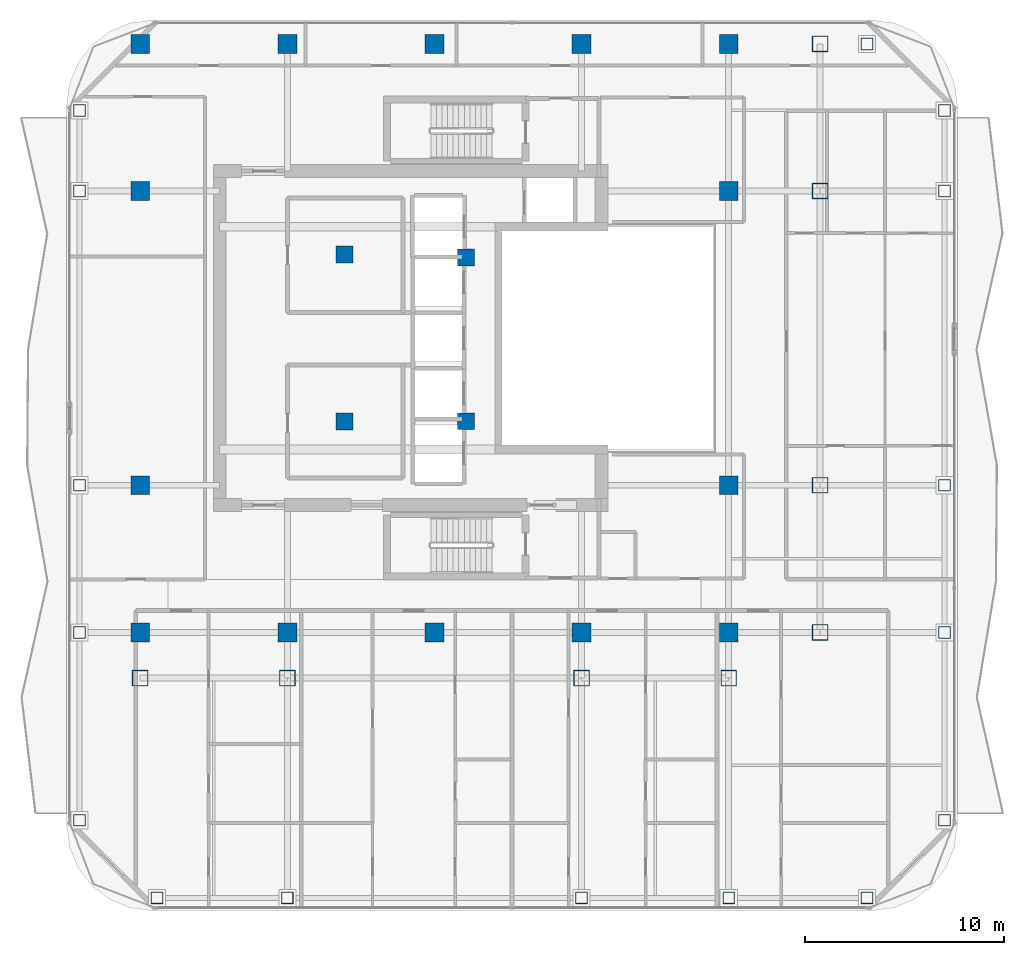
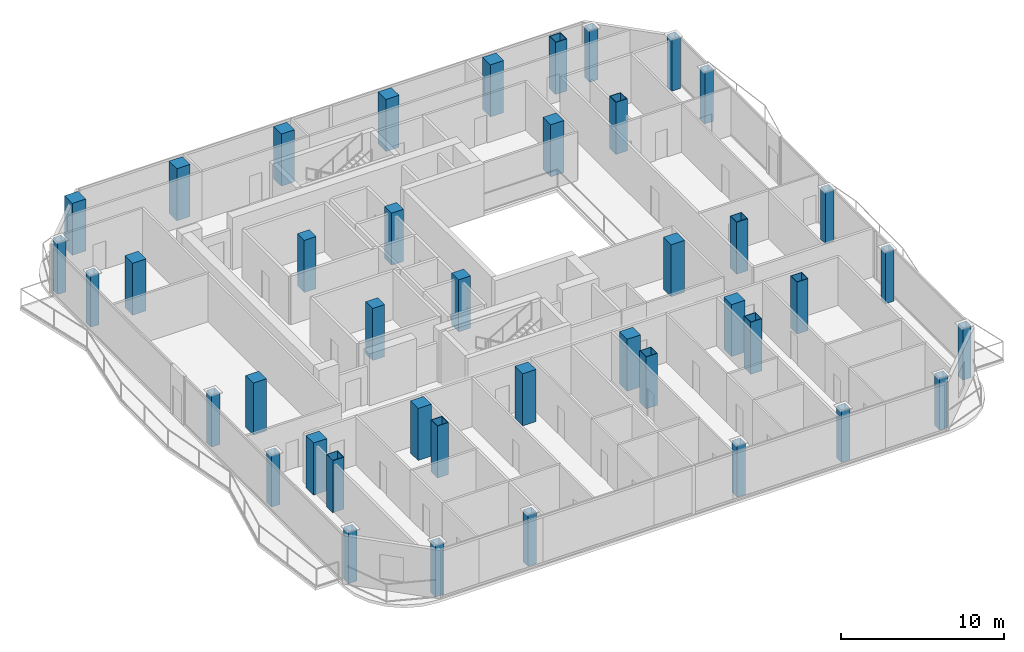
# One storey, part 1 of 26: 42 columns.
"""IFC4 building model written with IfcOpenShell, lengths in metres."""

from ifc_helpers import new_model, si_unit, direction, frame, origin, origin_2d, place, context, subcontext, project, spatial, rectangle, hollow_rectangle, extrude, material, material_profile, profile_set, type_object, element, save


model = new_model("IFC4")

# Units and contexts
model_context = context("Model", 3, precision=1e-05, world=origin(), true_north=direction((0.0, 1.0)))
body_context = subcontext(model_context, "Body", "Model", "MODEL_VIEW")
ifc_project = project(units=[si_unit("LENGTHUNIT", "METRE"), si_unit("AREAUNIT", "SQUARE_METRE"), si_unit("VOLUMEUNIT", "CUBIC_METRE"), si_unit("PLANEANGLEUNIT", "RADIAN"), si_unit("MASSUNIT", "GRAM", prefix="KILO")], contexts=[model_context])

# Site, building, storey
site_placement = place(None, origin())
site = spatial("IfcSite", under=ifc_project, at=site_placement, CompositionType="ELEMENT")
building_placement = place(site_placement, origin())
building = spatial("IfcBuilding", under=site, at=building_placement, Name="Khorvyn Point Tower", CompositionType="ELEMENT")
storey_placement = place(building_placement, frame((0.0, 0.0, 250.800048828125)))
storey = spatial("IfcBuildingStorey", under=building, at=storey_placement, Name="L61", CompositionType="ELEMENT", Elevation=250.800048828125)

# Columns
ifc_material_1 = material(Name="Concrete C40/50", Category="concrete")
ifc_material_profile_1 = material_profile(ifc_material_1, rectangle(XDim=0.85009765625, YDim=0.85009765625, at=origin_2d()))
ifc_profile_set_1 = profile_set([ifc_material_profile_1], Name="Concrete C40/50 RC850x850")
column_type_1 = type_object("IfcColumnType", Name="Concrete C40/50 Column RC850x850", PredefinedType="COLUMN", material=ifc_profile_set_1)
for number, where, z_axis, x_axis, name in (
    (1, (-4.52001953125, -4.199951171875, 0.0), (0.0, 0.0, 1.0), (1.0, 0.0, 0.0), "L61 Crown Core Spine Column 1"),
    (2, (1.580078125, -4.179931640625, 0.0), (0.0, 0.0, 1.0), (1.0, 0.0, 0.0), "L61 Crown Core Spine Column 2"),
    (3, (1.580078125, 4.050048828125, 0.0), (0.0, 0.0, 1.0), (1.0, 0.0, 0.0), "L61 Crown Core Spine Column 3"),
    (4, (-4.52001953125, 4.199951171875, 0.0), (0.0, 0.0, 1.0), (1.0, 0.0, 0.0), "L61 Crown Core Spine Column 4"),
):
    element("IfcColumn", number, at=place(storey_placement, frame(where, z_axis=z_axis, x_axis=x_axis)), inside=storey, type_object=column_type_1, Name=name, PredefinedType="COLUMN", context=body_context, shape_type="SweptSolid", body=[
        extrude(rectangle(XDim=0.85009765625, YDim=0.85009765625, at=origin_2d()), origin(), (0.0, 0.0, 1.0), 3.89990234375),
    ])
ifc_material_profile_2 = material_profile(ifc_material_1, rectangle(XDim=0.949951171875, YDim=0.949951171875, at=origin_2d()))
ifc_profile_set_2 = profile_set([ifc_material_profile_2], Name="Concrete C40/50 RC950x950")
column_type_2 = type_object("IfcColumnType", Name="Concrete C40/50 Column RC950x950", PredefinedType="COLUMN", material=ifc_profile_set_2)
for number, where, z_axis, x_axis, name in (
    (5, (-14.800048828125, -14.800048828125, 0.0), (0.0, 0.0, 1.0), (1.0, 0.0, 0.0), "L61 Mega-Column MC-01"),
    (6, (-7.39990234375, -14.800048828125, 0.0), (0.0, 0.0, 1.0), (1.0, 0.0, 0.0), "L61 Mega-Column MC-02"),
    (7, (0.0, -14.800048828125, 0.0), (0.0, 0.0, 1.0), (1.0, 0.0, 0.0), "L61 Mega-Column MC-03"),
    (8, (7.39990234375, -14.800048828125, 0.0), (0.0, 0.0, 1.0), (1.0, 0.0, 0.0), "L61 Mega-Column MC-04"),
    (9, (14.800048828125, -14.800048828125, 0.0), (0.0, 0.0, 1.0), (1.0, 0.0, 0.0), "L61 Mega-Column MC-05"),
    (10, (-14.800048828125, 14.800048828125, 0.0), (0.0, 0.0, 1.0), (1.0, 0.0, 0.0), "L61 Mega-Column MC-06"),
    (11, (-7.39990234375, 14.800048828125, 0.0), (0.0, 0.0, 1.0), (1.0, 0.0, 0.0), "L61 Mega-Column MC-07"),
    (12, (0.0, 14.800048828125, 0.0), (0.0, 0.0, 1.0), (1.0, 0.0, 0.0), "L61 Mega-Column MC-08"),
    (13, (7.39990234375, 14.800048828125, 0.0), (0.0, 0.0, 1.0), (1.0, 0.0, 0.0), "L61 Mega-Column MC-09"),
    (14, (14.800048828125, 14.800048828125, 0.0), (0.0, 0.0, 1.0), (1.0, 0.0, 0.0), "L61 Mega-Column MC-10"),
    (15, (-14.800048828125, -7.39990234375, 0.0), (0.0, 0.0, 1.0), (1.0, 0.0, 0.0), "L61 Mega-Column MC-11"),
    (16, (-14.800048828125, 7.39990234375, 0.0), (0.0, 0.0, 1.0), (1.0, 0.0, 0.0), "L61 Mega-Column MC-12"),
    (17, (14.800048828125, -7.39990234375, 0.0), (0.0, 0.0, 1.0), (1.0, 0.0, 0.0), "L61 Mega-Column MC-13"),
    (18, (14.800048828125, 7.39990234375, 0.0), (0.0, 0.0, 1.0), (1.0, 0.0, 0.0), "L61 Mega-Column MC-14"),
):
    element("IfcColumn", number, at=place(storey_placement, frame(where, z_axis=z_axis, x_axis=x_axis)), inside=storey, type_object=column_type_2, Name=name, PredefinedType="COLUMN", context=body_context, shape_type="SweptSolid", body=[
        extrude(rectangle(XDim=0.949951171875, YDim=0.949951171875, at=origin_2d()), origin(), (0.0, 0.0, 1.0), 3.89990234375),
    ])
ifc_material_2 = material(Name="Steel S450", Category="steel")
ifc_material_profile_3 = material_profile(ifc_material_2, hollow_rectangle(XDim=0.60009765625, YDim=0.60009765625, WallThickness=0.028076171875, at=origin_2d()))
ifc_profile_set_3 = profile_set([ifc_material_profile_3], Name="Steel S450 BOX600x600x28")
column_type_3 = type_object("IfcColumnType", Name="Steel S450 Structural Column BOX600x600x28", PredefinedType="COLUMN", material=ifc_profile_set_3)
for number, where, z_axis, x_axis, name in (
    (19, (-13.949951171875, -28.14990234375, 0.0), (0.0, 0.0, 1.0), (1.0, 0.0, 0.0), "L61 Perimeter Tube Column TC-01"),
    (20, (21.75, -28.14990234375, 0.0), (0.0, 0.0, 1.0), (1.0, 0.0, 0.0), "L61 Perimeter Tube Column TC-02"),
    (21, (21.75, 14.800048828125, 0.0), (0.0, 0.0, 1.0), (1.0, 0.0, 0.0), "L61 Perimeter Tube Column TC-03"),
    (22, (-17.85009765625, -24.25, 0.0), (0.0, 0.0, 1.0), (1.0, 0.0, 0.0), "L61 Perimeter Tube Column TC-04"),
    (23, (-17.85009765625, 11.449951171875, 0.0), (0.0, 0.0, 1.0), (1.0, 0.0, 0.0), "L61 Perimeter Tube Column TC-05"),
    (24, (25.64990234375, -24.25, 0.0), (0.0, 0.0, 1.0), (1.0, 0.0, 0.0), "L61 Perimeter Tube Column TC-06"),
    (25, (25.64990234375, 11.449951171875, 0.0), (0.0, 0.0, 1.0), (1.0, 0.0, 0.0), "L61 Perimeter Tube Column TC-07"),
    (26, (-7.39990234375, -28.14990234375, 0.0), (0.0, 0.0, 1.0), (1.0, 0.0, 0.0), "L61 Perimeter Tube Column TC-08"),
    (27, (7.39990234375, -28.14990234375, 0.0), (0.0, 0.0, 1.0), (1.0, 0.0, 0.0), "L61 Perimeter Tube Column TC-09"),
    (28, (14.800048828125, -28.14990234375, 0.0), (0.0, 0.0, 1.0), (1.0, 0.0, 0.0), "L61 Perimeter Tube Column TC-10"),
    (29, (-17.85009765625, -14.800048828125, 0.0), (0.0, 0.0, 1.0), (1.0, 0.0, 0.0), "L61 Perimeter Tube Column TC-11"),
    (30, (25.64990234375, -14.800048828125, 0.0), (0.0, 0.0, 1.0), (1.0, 0.0, 0.0), "L61 Perimeter Tube Column TC-12"),
    (31, (-17.85009765625, -7.39990234375, 0.0), (0.0, 0.0, 1.0), (1.0, 0.0, 0.0), "L61 Perimeter Tube Column TC-13"),
    (32, (25.64990234375, -7.39990234375, 0.0), (0.0, 0.0, 1.0), (1.0, 0.0, 0.0), "L61 Perimeter Tube Column TC-14"),
    (33, (-17.85009765625, 7.39990234375, 0.0), (0.0, 0.0, 1.0), (1.0, 0.0, 0.0), "L61 Perimeter Tube Column TC-15"),
    (34, (25.64990234375, 7.39990234375, 0.0), (0.0, 0.0, 1.0), (1.0, 0.0, 0.0), "L61 Perimeter Tube Column TC-16"),
):
    element("IfcColumn", number, at=place(storey_placement, frame(where, z_axis=z_axis, x_axis=x_axis)), inside=storey, type_object=column_type_3, Name=name, PredefinedType="COLUMN", context=body_context, shape_type="SweptSolid", body=[
        extrude(hollow_rectangle(XDim=0.60009765625, YDim=0.60009765625, WallThickness=0.028076171875, at=origin_2d()), origin(), (0.0, 0.0, 1.0), 3.89990234375),
    ])
ifc_material_profile_4 = material_profile(ifc_material_2, hollow_rectangle(XDim=0.800048828125, YDim=0.800048828125, WallThickness=0.035888671875, at=origin_2d()))
ifc_profile_set_4 = profile_set([ifc_material_profile_4], Name="Steel S450 BOX800x800x36")
column_type_4 = type_object("IfcColumnType", Name="Steel S450 Structural Column BOX800x800x36", PredefinedType="COLUMN", material=ifc_profile_set_4)
for number, where, z_axis, x_axis, name in (
    (35, (19.39990234375, -14.800048828125, 0.0), (0.0, 0.0, 1.0), (1.0, 0.0, 0.0), "L61 Intermediate Column ICE--14"),
    (36, (19.39990234375, -7.39990234375, 0.0), (0.0, 0.0, 1.0), (1.0, 0.0, 0.0), "L61 Intermediate Column ICE--7"),
    (37, (19.39990234375, 7.39990234375, 0.0), (0.0, 0.0, 1.0), (1.0, 0.0, 0.0), "L61 Intermediate Column ICE-7"),
    (38, (19.39990234375, 14.800048828125, 0.0), (0.0, 0.0, 1.0), (1.0, 0.0, 0.0), "L61 Intermediate Column ICE-14"),
    (39, (-14.800048828125, -17.10009765625, 0.0), (0.0, 0.0, 1.0), (1.0, 0.0, 0.0), "L61 Intermediate Column ICS--14"),
    (40, (-7.39990234375, -17.10009765625, 0.0), (0.0, 0.0, 1.0), (1.0, 0.0, 0.0), "L61 Intermediate Column ICS--7"),
    (41, (7.39990234375, -17.10009765625, 0.0), (0.0, 0.0, 1.0), (1.0, 0.0, 0.0), "L61 Intermediate Column ICS-7"),
    (42, (14.800048828125, -17.10009765625, 0.0), (0.0, 0.0, 1.0), (1.0, 0.0, 0.0), "L61 Intermediate Column ICS-14"),
):
    element("IfcColumn", number, at=place(storey_placement, frame(where, z_axis=z_axis, x_axis=x_axis)), inside=storey, type_object=column_type_4, Name=name, PredefinedType="COLUMN", context=body_context, shape_type="SweptSolid", body=[
        extrude(hollow_rectangle(XDim=0.800048828125, YDim=0.800048828125, WallThickness=0.035888671875, at=origin_2d()), origin(), (0.0, 0.0, 1.0), 3.89990234375),
    ])

save(model, "model.ifc")
